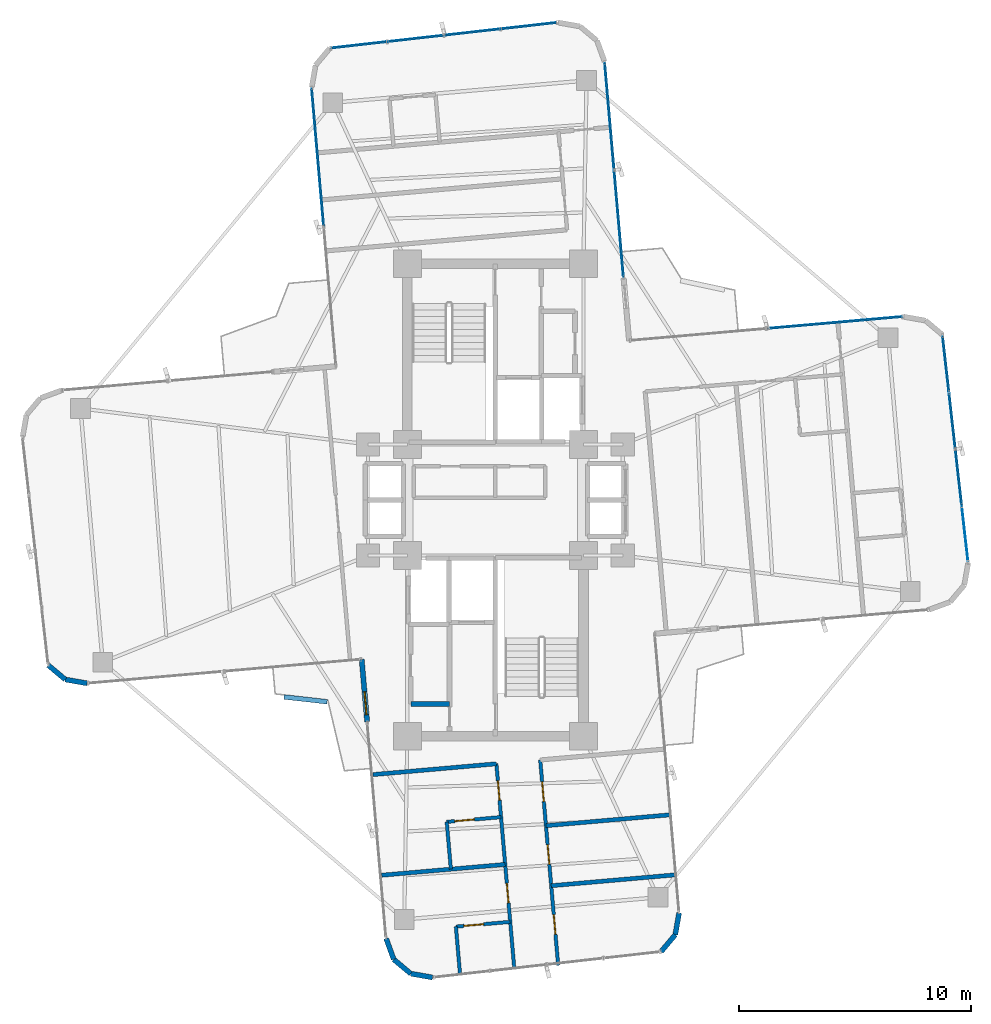
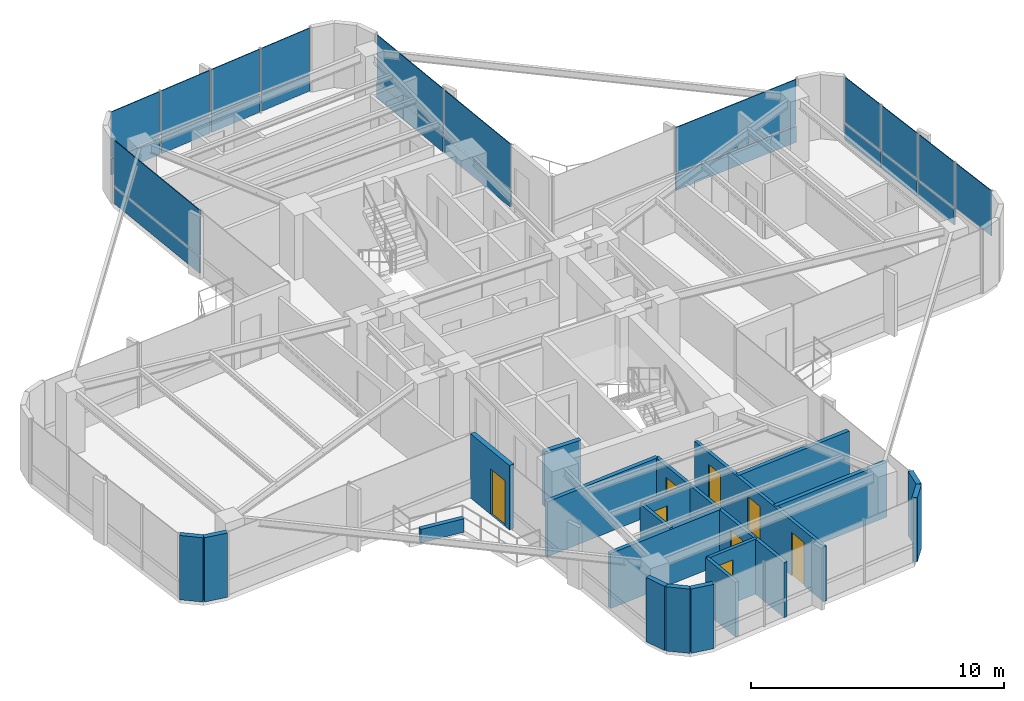
# One storey, part 20 of 24: 23 plates, 20 walls, 8 doors, 8 openings, 5 elements without a shape of their own.
"""IFC4 building model written with IfcOpenShell, lengths in metres."""

from ifc_helpers import new_model, si_unit, direction, frame, frame_2d, origin, origin_2d, place, context, subcontext, project, spatial, rectangle, extrude, source, transform, mapped, material, layer, layer_set, type_object, element, fill, aggregate, save


model = new_model("IFC4")

# Units and contexts
model_context = context("Model", 3, precision=1e-05, world=origin(), true_north=direction((0.0, 1.0)))
body_context = subcontext(model_context, "Body", "Model", "MODEL_VIEW")
ifc_project = project(units=[si_unit("LENGTHUNIT", "METRE"), si_unit("AREAUNIT", "SQUARE_METRE"), si_unit("VOLUMEUNIT", "CUBIC_METRE"), si_unit("PLANEANGLEUNIT", "RADIAN"), si_unit("MASSUNIT", "GRAM", prefix="KILO")], contexts=[model_context])

# Site, building, storey
site_placement = place(None, origin())
site = spatial("IfcSite", under=ifc_project, at=site_placement, CompositionType="ELEMENT")
building_placement = place(site_placement, origin())
building = spatial("IfcBuilding", under=site, at=building_placement, Name="Sahyath Konkavel Grand Hotel", CompositionType="ELEMENT")
storey_placement = place(building_placement, frame((0.0, 0.0, 175.199951171875)))
storey = spatial("IfcBuildingStorey", under=building, at=storey_placement, Name="L48", CompositionType="ELEMENT", Elevation=175.199951171875)

# Curtain wall, plates
ifc_material_1 = material(Name="Anodised Bronze Aluminium & Low-E Glazing", Category="aluminium")
curtain_wall_type = type_object("IfcCurtainWallType", Name="CW-ZONE3", PredefinedType="NOTDEFINED", material=ifc_material_1)
curtain_wall_1_placement = place(storey_placement, origin())
curtain_wall_1 = element("IfcCurtainWall", 1, at=curtain_wall_1_placement, inside=storey, type_object=curtain_wall_type, Name="L48 Unitised Curtain Wall F4", PredefinedType="NOTDEFINED")
ifc_material_2 = material(Name="Warm Buff Sandstone Cladding", Category="masonry")
ifc_layer_1 = layer(ifc_material_2, 0.074951171875)
ifc_layer_set_1 = layer_set([ifc_layer_1], Name="Warm Buff Sandstone Cladding")
plate_type_1 = type_object("IfcPlateType", Name="PNL-SPANDREL-STONE", PredefinedType="SHEET", material=ifc_layer_set_1)
shared_shape_1 = source(origin(), body_context, "Body", "SweptSolid", [
    extrude(rectangle(XDim=2.382080078125, YDim=0.074951171875, at=origin_2d()), origin(), (0.0, 0.0, 1.0), 0.77001953125),
])
plate_1_placement = place(storey_placement, frame((19.99755859375, 0.978515625, 0.0400390625), z_axis=(0.0, 0.0, 1.0), x_axis=(-0.111989252568, 0.993709417943, 0.0)))
plate_1 = element("IfcPlate", 2, at=plate_1_placement, type_object=plate_type_1, Name="L48 Sandstone Relief Spandrel Panel F4-1", PredefinedType="SHEET", context=body_context, shape_type="MappedRepresentation", body=[
    mapped(shared_shape_1, transform((0.0, 0.0, 0.0), scale=1.0)),
])
plate_2_placement = place(storey_placement, frame((19.7216796875, 3.425048828125, 0.0400390625), z_axis=(0.0, 0.0, 1.0), x_axis=(-0.111989252568, 0.993709417943, 0.0)))
plate_2 = element("IfcPlate", 3, at=plate_2_placement, type_object=plate_type_1, Name="L48 Sandstone Relief Spandrel Panel F4-2", PredefinedType="SHEET", context=body_context, shape_type="MappedRepresentation", body=[
    mapped(shared_shape_1, transform((0.0, 0.0, 0.0), scale=1.0)),
])
plate_3_placement = place(storey_placement, frame((19.446044921875, 5.87158203125, 0.0400390625), z_axis=(0.0, 0.0, 1.0), x_axis=(-0.111989252568, 0.993709417943, 0.0)))
plate_3 = element("IfcPlate", 4, at=plate_3_placement, type_object=plate_type_1, Name="L48 Sandstone Relief Spandrel Panel F4-3", PredefinedType="SHEET", context=body_context, shape_type="MappedRepresentation", body=[
    mapped(shared_shape_1, transform((0.0, 0.0, 0.0), scale=1.0)),
])

curtain_wall_2_placement = place(storey_placement, origin())
curtain_wall_2 = element("IfcCurtainWall", 5, at=curtain_wall_2_placement, inside=storey, type_object=curtain_wall_type, Name="L48 Unitised Curtain Wall F12", PredefinedType="NOTDEFINED")
plate_4_placement = place(storey_placement, frame((1.45068359375, 20.47265625, 0.0400390625), z_axis=(0.0, 0.0, 1.0), x_axis=(-0.993707463211, -0.112006596052, 0.0)))
plate_4 = element("IfcPlate", 6, at=plate_4_placement, type_object=plate_type_1, Name="L48 Sandstone Relief Spandrel Panel F12-0", PredefinedType="SHEET", context=body_context, shape_type="MappedRepresentation", body=[
    mapped(shared_shape_1, transform((0.0, 0.0, 0.0), scale=1.0)),
])
plate_5_placement = place(storey_placement, frame((-0.995849609375, 20.197021484375, 0.0400390625), z_axis=(0.0, 0.0, 1.0), x_axis=(-0.993707463211, -0.112006596052, 0.0)))
plate_5 = element("IfcPlate", 7, at=plate_5_placement, type_object=plate_type_1, Name="L48 Sandstone Relief Spandrel Panel F12-1", PredefinedType="SHEET", context=body_context, shape_type="MappedRepresentation", body=[
    mapped(shared_shape_1, transform((0.0, 0.0, 0.0), scale=1.0)),
])
plate_6_placement = place(storey_placement, frame((-3.4423828125, 19.921142578125, 0.0400390625), z_axis=(0.0, 0.0, 1.0), x_axis=(-0.993707463211, -0.112006596052, 0.0)))
plate_6 = element("IfcPlate", 8, at=plate_6_placement, type_object=plate_type_1, Name="L48 Sandstone Relief Spandrel Panel F12-2", PredefinedType="SHEET", context=body_context, shape_type="MappedRepresentation", body=[
    mapped(shared_shape_1, transform((0.0, 0.0, 0.0), scale=1.0)),
])
plate_7_placement = place(storey_placement, frame((-5.888916015625, 19.6455078125, 0.0400390625), z_axis=(0.0, 0.0, 1.0), x_axis=(-0.993707463211, -0.112006596052, 0.0)))
plate_7 = element("IfcPlate", 9, at=plate_7_placement, type_object=plate_type_1, Name="L48 Sandstone Relief Spandrel Panel F12-3", PredefinedType="SHEET", context=body_context, shape_type="MappedRepresentation", body=[
    mapped(shared_shape_1, transform((0.0, 0.0, 0.0), scale=1.0)),
])

# Curtain wall, plate
curtain_wall_3_placement = place(storey_placement, origin())
curtain_wall_3 = element("IfcCurtainWall", 10, at=curtain_wall_3_placement, inside=storey, type_object=curtain_wall_type, Name="L48 Unitised Curtain Wall F7", PredefinedType="NOTDEFINED")
shared_shape_2 = source(origin(), body_context, "Body", "SweptSolid", [
    extrude(rectangle(XDim=5.830078125, YDim=0.074951171875, at=origin_2d()), origin(), (0.0, 0.0, 1.0), 0.77001953125),
])
plate_8_placement = place(storey_placement, frame((14.6435546875, 7.655517578125, 0.0400390625), z_axis=(0.0, 0.0, 1.0), x_axis=(-0.996194698092, -0.087155742748, 0.0)))
plate_8 = element("IfcPlate", 11, at=plate_8_placement, type_object=plate_type_1, Name="L48 Sandstone Relief Spandrel Panel F7-0", PredefinedType="SHEET", context=body_context, shape_type="MappedRepresentation", body=[
    mapped(shared_shape_2, transform((0.0, 0.0, 0.0), scale=1.0)),
])

# Curtain wall, plates
curtain_wall_4_placement = place(storey_placement, origin())
curtain_wall_4 = element("IfcCurtainWall", 12, at=curtain_wall_4_placement, inside=storey, type_object=curtain_wall_type, Name="L48 Unitised Curtain Wall F8", PredefinedType="NOTDEFINED")
shared_shape_3 = source(origin(), body_context, "Body", "SweptSolid", [
    extrude(rectangle(XDim=4.580078125, YDim=0.074951171875, at=origin_2d()), origin(), (0.0, 0.0, 1.0), 0.77001953125),
])
plate_9_placement = place(storey_placement, frame((5.33056640625, 11.929931640625, 0.0400390625), z_axis=(0.0, 0.0, 1.0), x_axis=(-0.087155742748, 0.996194698092, 0.0)))
plate_9 = element("IfcPlate", 13, at=plate_9_placement, type_object=plate_type_1, Name="L48 Sandstone Relief Spandrel Panel F8-0", PredefinedType="SHEET", context=body_context, shape_type="MappedRepresentation", body=[
    mapped(shared_shape_3, transform((0.0, 0.0, 0.0), scale=1.0)),
])
plate_10_placement = place(storey_placement, frame((4.92431640625, 16.572265625, 0.0400390625), z_axis=(0.0, 0.0, 1.0), x_axis=(-0.087155742748, 0.996194698092, 0.0)))
plate_10 = element("IfcPlate", 14, at=plate_10_placement, type_object=plate_type_1, Name="L48 Sandstone Relief Spandrel Panel F8-1", PredefinedType="SHEET", context=body_context, shape_type="MappedRepresentation", body=[
    mapped(shared_shape_3, transform((0.0, 0.0, 0.0), scale=1.0)),
])

# Curtain wall, plate
curtain_wall_5_placement = place(storey_placement, origin())
curtain_wall_5 = element("IfcCurtainWall", 15, at=curtain_wall_5_placement, inside=storey, type_object=curtain_wall_type, Name="L48 Unitised Curtain Wall F15", PredefinedType="NOTDEFINED")
shared_shape_4 = source(origin(), body_context, "Body", "SweptSolid", [
    extrude(rectangle(XDim=5.929931640625, YDim=0.074951171875, at=origin_2d()), origin(), (0.0, 0.0, 1.0), 0.77001953125),
])
plate_11_placement = place(storey_placement, frame((-7.66845703125, 14.79296875, 0.0400390625), z_axis=(0.0, 0.0, 1.0), x_axis=(0.087155742748, -0.996194698092, 0.0)))
plate_11 = element("IfcPlate", 16, at=plate_11_placement, type_object=plate_type_1, Name="L48 Sandstone Relief Spandrel Panel F15-0", PredefinedType="SHEET", context=body_context, shape_type="MappedRepresentation", body=[
    mapped(shared_shape_4, transform((0.0, 0.0, 0.0), scale=1.0)),
])

# Plate
ifc_material_3 = material(Name="Low-E Solar Control Double Glazing", Category="glass")
ifc_layer_2 = layer(ifc_material_3, 0.035888671875)
ifc_layer_set_2 = layer_set([ifc_layer_2], Name="Low-E Solar Control Double Glazing")
plate_type_2 = type_object("IfcPlateType", Name="PNL-VISION-LOWE", PredefinedType="CURTAIN_PANEL", material=ifc_layer_set_2)
shared_shape_5 = source(origin(), body_context, "Body", "SweptSolid", [
    extrude(rectangle(XDim=2.382080078125, YDim=0.035888671875, at=origin_2d()), origin(), (0.0, 0.0, 1.0), 2.179931640625),
])
plate_12_placement = place(storey_placement, frame((20.2734375, -1.468017578125, 0.89013671875), z_axis=(0.0, 0.0, 1.0), x_axis=(-0.111989252568, 0.993709417943, 0.0)))
plate_12 = element("IfcPlate", 17, at=plate_12_placement, type_object=plate_type_2, Name="L48 Low-E Vision Glazing Panel F4-0", PredefinedType="CURTAIN_PANEL", context=body_context, shape_type="MappedRepresentation", body=[
    mapped(shared_shape_5, transform((0.0, 0.0, 0.0), scale=1.0)),
])

plate_13_placement = place(storey_placement, frame((19.99755859375, 0.978515625, 0.89013671875), z_axis=(0.0, 0.0, 1.0), x_axis=(-0.111989252568, 0.993709417943, 0.0)))
plate_13 = element("IfcPlate", 18, at=plate_13_placement, type_object=plate_type_2, Name="L48 Low-E Vision Glazing Panel F4-1", PredefinedType="CURTAIN_PANEL", context=body_context, shape_type="MappedRepresentation", body=[
    mapped(shared_shape_5, transform((0.0, 0.0, 0.0), scale=1.0)),
])

plate_14_placement = place(storey_placement, frame((19.7216796875, 3.425048828125, 0.89013671875), z_axis=(0.0, 0.0, 1.0), x_axis=(-0.111989252568, 0.993709417943, 0.0)))
plate_14 = element("IfcPlate", 19, at=plate_14_placement, type_object=plate_type_2, Name="L48 Low-E Vision Glazing Panel F4-2", PredefinedType="CURTAIN_PANEL", context=body_context, shape_type="MappedRepresentation", body=[
    mapped(shared_shape_5, transform((0.0, 0.0, 0.0), scale=1.0)),
])

plate_15_placement = place(storey_placement, frame((19.446044921875, 5.87158203125, 0.89013671875), z_axis=(0.0, 0.0, 1.0), x_axis=(-0.111989252568, 0.993709417943, 0.0)))
plate_15 = element("IfcPlate", 20, at=plate_15_placement, type_object=plate_type_2, Name="L48 Low-E Vision Glazing Panel F4-3", PredefinedType="CURTAIN_PANEL", context=body_context, shape_type="MappedRepresentation", body=[
    mapped(shared_shape_5, transform((0.0, 0.0, 0.0), scale=1.0)),
])

aggregate(curtain_wall_1, [plate_12, plate_1, plate_13, plate_2, plate_14, plate_3, plate_15])

plate_16_placement = place(storey_placement, frame((1.45068359375, 20.47265625, 0.89013671875), z_axis=(0.0, 0.0, 1.0), x_axis=(-0.993707463211, -0.112006596052, 0.0)))
plate_16 = element("IfcPlate", 21, at=plate_16_placement, type_object=plate_type_2, Name="L48 Low-E Vision Glazing Panel F12-0", PredefinedType="CURTAIN_PANEL", context=body_context, shape_type="MappedRepresentation", body=[
    mapped(shared_shape_5, transform((0.0, 0.0, 0.0), scale=1.0)),
])

plate_17_placement = place(storey_placement, frame((-0.995849609375, 20.197021484375, 0.89013671875), z_axis=(0.0, 0.0, 1.0), x_axis=(-0.993707463211, -0.112006596052, 0.0)))
plate_17 = element("IfcPlate", 22, at=plate_17_placement, type_object=plate_type_2, Name="L48 Low-E Vision Glazing Panel F12-1", PredefinedType="CURTAIN_PANEL", context=body_context, shape_type="MappedRepresentation", body=[
    mapped(shared_shape_5, transform((0.0, 0.0, 0.0), scale=1.0)),
])

plate_18_placement = place(storey_placement, frame((-3.4423828125, 19.921142578125, 0.89013671875), z_axis=(0.0, 0.0, 1.0), x_axis=(-0.993707463211, -0.112006596052, 0.0)))
plate_18 = element("IfcPlate", 23, at=plate_18_placement, type_object=plate_type_2, Name="L48 Low-E Vision Glazing Panel F12-2", PredefinedType="CURTAIN_PANEL", context=body_context, shape_type="MappedRepresentation", body=[
    mapped(shared_shape_5, transform((0.0, 0.0, 0.0), scale=1.0)),
])

plate_19_placement = place(storey_placement, frame((-5.888916015625, 19.6455078125, 0.89013671875), z_axis=(0.0, 0.0, 1.0), x_axis=(-0.993707463211, -0.112006596052, 0.0)))
plate_19 = element("IfcPlate", 24, at=plate_19_placement, type_object=plate_type_2, Name="L48 Low-E Vision Glazing Panel F12-3", PredefinedType="CURTAIN_PANEL", context=body_context, shape_type="MappedRepresentation", body=[
    mapped(shared_shape_5, transform((0.0, 0.0, 0.0), scale=1.0)),
])

aggregate(curtain_wall_2, [plate_4, plate_16, plate_5, plate_17, plate_6, plate_18, plate_7, plate_19])

shared_shape_6 = source(origin(), body_context, "Body", "SweptSolid", [
    extrude(rectangle(XDim=5.830078125, YDim=0.035888671875, at=origin_2d()), origin(), (0.0, 0.0, 1.0), 2.179931640625),
])
plate_20_placement = place(storey_placement, frame((14.6435546875, 7.655517578125, 0.89013671875), z_axis=(0.0, 0.0, 1.0), x_axis=(-0.996194698092, -0.087155742748, 0.0)))
plate_20 = element("IfcPlate", 25, at=plate_20_placement, type_object=plate_type_2, Name="L48 Low-E Vision Glazing Panel F7-0", PredefinedType="CURTAIN_PANEL", context=body_context, shape_type="MappedRepresentation", body=[
    mapped(shared_shape_6, transform((0.0, 0.0, 0.0), scale=1.0)),
])

aggregate(curtain_wall_3, [plate_8, plate_20])

shared_shape_7 = source(origin(), body_context, "Body", "SweptSolid", [
    extrude(rectangle(XDim=4.580078125, YDim=0.035888671875, at=origin_2d()), origin(), (0.0, 0.0, 1.0), 2.179931640625),
])
plate_21_placement = place(storey_placement, frame((5.33056640625, 11.929931640625, 0.89013671875), z_axis=(0.0, 0.0, 1.0), x_axis=(-0.087155742748, 0.996194698092, 0.0)))
plate_21 = element("IfcPlate", 26, at=plate_21_placement, type_object=plate_type_2, Name="L48 Low-E Vision Glazing Panel F8-0", PredefinedType="CURTAIN_PANEL", context=body_context, shape_type="MappedRepresentation", body=[
    mapped(shared_shape_7, transform((0.0, 0.0, 0.0), scale=1.0)),
])

plate_22_placement = place(storey_placement, frame((4.92431640625, 16.572265625, 0.89013671875), z_axis=(0.0, 0.0, 1.0), x_axis=(-0.087155742748, 0.996194698092, 0.0)))
plate_22 = element("IfcPlate", 27, at=plate_22_placement, type_object=plate_type_2, Name="L48 Low-E Vision Glazing Panel F8-1", PredefinedType="CURTAIN_PANEL", context=body_context, shape_type="MappedRepresentation", body=[
    mapped(shared_shape_7, transform((0.0, 0.0, 0.0), scale=1.0)),
])

aggregate(curtain_wall_4, [plate_9, plate_21, plate_10, plate_22])

shared_shape_8 = source(origin(), body_context, "Body", "SweptSolid", [
    extrude(rectangle(XDim=5.929931640625, YDim=0.035888671875, at=origin_2d()), origin(), (0.0, 0.0, 1.0), 2.179931640625),
])
plate_23_placement = place(storey_placement, frame((-7.66845703125, 14.79296875, 0.89013671875), z_axis=(0.0, 0.0, 1.0), x_axis=(0.087155742748, -0.996194698092, 0.0)))
plate_23 = element("IfcPlate", 28, at=plate_23_placement, type_object=plate_type_2, Name="L48 Low-E Vision Glazing Panel F15-0", PredefinedType="CURTAIN_PANEL", context=body_context, shape_type="MappedRepresentation", body=[
    mapped(shared_shape_8, transform((0.0, 0.0, 0.0), scale=1.0)),
])

aggregate(curtain_wall_5, [plate_11, plate_23])

# Walls
ifc_material_4 = material(Name="Warm Buff Sandstone Insulated Concrete C40/50", Category="masonry")
ifc_layer_3 = layer(ifc_material_4, 0.219970703125)
ifc_layer_set_3 = layer_set([ifc_layer_3], Name="Warm Buff Sandstone Insulated Concrete C40/50")
wall_type_1 = type_object("IfcWallType", Name="WLL-BALC-THRESH", PredefinedType="STANDARD", material=ifc_layer_set_3)
wall_1_placement = place(storey_placement, frame((-19.3037109375, -7.134521484375, 0.0), z_axis=(0.0, 0.0, 1.0), x_axis=(0.766001159887, -0.642839189107, 0.0)))
element("IfcWall", 29, at=wall_1_placement, inside=storey, type_object=wall_type_1, Name="L48 Rounded Corner Sandstone Pier 21", PredefinedType="STANDARD", context=body_context, shape_type="SweptSolid", body=[
    extrude(rectangle(XDim=0.95751953125, YDim=0.219970703125, at=frame_2d((0.478759765625, 0.0))), origin(), (0.0, 0.0, 1.0), 3.110107421875),
])
wall_2_placement = place(storey_placement, frame((-18.5703125, -7.75, 0.0), z_axis=(0.0, 0.0, 1.0), x_axis=(0.984770724397, -0.173858046606, 0.0)))
element("IfcWall", 30, at=wall_2_placement, inside=storey, type_object=wall_type_1, Name="L48 Rounded Corner Sandstone Pier 22", PredefinedType="STANDARD", context=body_context, shape_type="SweptSolid", body=[
    extrude(rectangle(XDim=0.957763671875, YDim=0.219970703125, at=frame_2d((0.47900390625, 0.0))), origin(), (0.0, 0.0, 1.0), 3.110107421875),
])

# Wall, opening, door
wall_3_placement = place(storey_placement, frame((-5.7724609375, -6.87939453125, 0.0), z_axis=(0.0, 0.0, 1.0), x_axis=(0.087168071984, -0.996193619346, 0.0)))
wall_3 = element("IfcWall", 31, at=wall_3_placement, inside=storey, type_object=wall_type_1, Name="L48 Winter-Garden Threshold Wall 24", PredefinedType="STANDARD", context=body_context, shape_type="SweptSolid", body=[
    extrude(rectangle(XDim=2.699951171875, YDim=0.219970703125, at=frame_2d((1.35009765625, 0.0))), origin(), (0.0, 0.0, 1.0), 3.110107421875),
])
opening_1_placement = place(wall_3_placement, frame((1.39990234375, 0.0, 0.0)))
opening_1 = element("IfcOpeningElement", 32, at=opening_1_placement, cuts=wall_3, Name="Opening D-TR1", PredefinedType="OPENING", context=body_context, shape_type="SweptSolid", body=[
    extrude(rectangle(XDim=1.0, YDim=2.199951171875, at=frame_2d((0.5, 1.10009765625))), frame((0.0, 0.1201171875, 0.0), z_axis=(0.0, -1.0, 0.0), x_axis=(1.0, 0.0, 0.0)), (0.0, 0.0, 1.0), 0.239990234375),
])
door_type_1 = type_object("IfcDoorType", Name="DR-TERRACE-1000", OperationType="NOTDEFINED", PredefinedType="DOOR", material=ifc_material_1)
shared_shape_9 = source(origin(), body_context, "Body", "SweptSolid", [
    extrude(rectangle(XDim=1.0, YDim=0.050048828125, at=origin_2d()), origin(), (0.0, 0.0, 1.0), 2.199951171875),
])
door_1_placement = place(opening_1_placement, frame((0.5, 0.0, 0.0)))
door_1 = element("IfcDoor", 33, at=door_1_placement, inside=storey, type_object=door_type_1, Name="L48 Winter-Garden Terrace Door 24", OperationType="SINGLE_SWING_LEFT", OverallHeight=2.199951171875, OverallWidth=1.0, PredefinedType="DOOR", context=body_context, shape_type="MappedRepresentation", body=[
    mapped(shared_shape_9, transform((0.0, 0.0, 0.0), scale=1.0)),
])
fill(opening_1, door_1)

# Walls
wall_4_placement = place(storey_placement, frame((-4.7177734375, -18.93310546875, 0.0), z_axis=(0.0, 0.0, 1.0), x_axis=(0.34188635151, -0.939741306239, 0.0)))
element("IfcWall", 34, at=wall_4_placement, inside=storey, type_object=wall_type_1, Name="L48 Rounded Corner Sandstone Pier 25", PredefinedType="STANDARD", context=body_context, shape_type="SweptSolid", body=[
    extrude(rectangle(XDim=0.95751953125, YDim=0.219970703125, at=frame_2d((0.478759765625, 0.0))), origin(), (0.0, 0.0, 1.0), 3.110107421875),
])
for number, where, z_axis, x_axis, name in (
    (35, (-4.390380859375, -19.8330078125, 0.0), (0.0, 0.0, 1.0), (0.765980978054, -0.642863236823, 0.0), "L48 Rounded Corner Sandstone Pier 26"),
    (36, (-3.65673828125, -20.44873046875, 0.0), (0.0, 0.0, 1.0), (0.984814340885, -0.173610811841, 0.0), "L48 Rounded Corner Sandstone Pier 27"),
):
    element("IfcWall", number, at=place(storey_placement, frame(where, z_axis=z_axis, x_axis=x_axis)), inside=storey, type_object=wall_type_1, Name=name, PredefinedType="STANDARD", context=body_context, shape_type="SweptSolid", body=[
        extrude(rectangle(XDim=0.957763671875, YDim=0.219970703125, at=frame_2d((0.47900390625, 0.0))), origin(), (0.0, 0.0, 1.0), 3.110107421875),
    ])
for number, where, z_axis, x_axis, name in (
    (37, (7.152099609375, -19.5029296875, 0.0), (0.0, 0.0, 1.0), (0.642713642115, 0.766106503196, 0.0), "L48 Rounded Corner Sandstone Pier 29"),
    (38, (7.767578125, -18.769287109375, 0.0), (0.0, 0.0, 1.0), (0.173654409999, 0.984806654064, 0.0), "L48 Rounded Corner Sandstone Pier 30"),
):
    element("IfcWall", number, at=place(storey_placement, frame(where, z_axis=z_axis, x_axis=x_axis)), inside=storey, type_object=wall_type_1, Name=name, PredefinedType="STANDARD", context=body_context, shape_type="SweptSolid", body=[
        extrude(rectangle(XDim=0.95751953125, YDim=0.219970703125, at=frame_2d((0.478759765625, 0.0))), origin(), (0.0, 0.0, 1.0), 3.110107421875),
    ])
ifc_material_5 = material(Name="Concrete C40/50", Category="concrete")
ifc_layer_4 = layer(ifc_material_5, 0.199951171875)
ifc_layer_set_4 = layer_set([ifc_layer_4], Name="Concrete C40/50")
wall_type_2 = type_object("IfcWallType", Name="WLL-CORE-200", PredefinedType="SOLIDWALL", material=ifc_layer_set_4)
wall_5_placement = place(storey_placement, frame((-3.64990234375, -8.81005859375, 0.0), z_axis=(0.0, 0.0, 1.0), x_axis=(1.0, 0.0, 0.0)))
element("IfcWall", 39, at=wall_5_placement, inside=storey, type_object=wall_type_2, Name="L48 Partition SC-REC-S", PredefinedType="SOLIDWALL", context=body_context, shape_type="SweptSolid", body=[
    extrude(rectangle(XDim=1.669921875, YDim=0.199951171875, at=frame_2d((0.8349609375, 0.0))), origin(), (0.0, 0.0, 1.0), 2.66015625),
])
ifc_material_6 = material(Name="Twin-Stud Acoustic Gypsum Plasterboard Partition")
ifc_layer_5 = layer(ifc_material_6, 0.179931640625)
ifc_layer_set_5 = layer_set([ifc_layer_5], Name="Twin-Stud Acoustic Gypsum Plasterboard Partition")
wall_type_3 = type_object("IfcWallType", Name="WLL-DEMISE-180", PredefinedType="PARTITIONING", material=ifc_layer_set_5)
for number, where, z_axis, x_axis, name in (
    (40, (-5.286865234375, -11.85595703125, 0.0), (0.0, 0.0, 1.0), (0.996194212812, 0.087161289348, 0.0), "L48 Partition S-INR"),
    (41, (2.183837890625, -14.061279296875, 0.0), (0.0, 0.0, 1.0), (0.996194212812, 0.087161289348, 0.0), "L48 Partition S-S1L-DEM"),
    (42, (2.41064453125, -16.6533203125, 0.0), (0.0, 0.0, 1.0), (0.996194212812, 0.087161289348, 0.0), "L48 Partition S-S2L-DEM"),
    (43, (0.4228515625, -15.73388671875, 0.0), (0.0, 0.0, 1.0), (-0.996194212812, -0.087161289348, 0.0), "L48 Partition S-S1R-DEM"),
):
    element("IfcWall", number, at=place(storey_placement, frame(where, z_axis=z_axis, x_axis=x_axis)), inside=storey, type_object=wall_type_3, Name=name, PredefinedType="PARTITIONING", context=body_context, shape_type="SweptSolid", body=[
        extrude(rectangle(XDim=5.349853515625, YDim=0.179931640625, at=frame_2d((2.6748046875, 0.0))), origin(), (0.0, 0.0, 1.0), 2.66015625),
    ])

# Wall, openings, doors
ifc_material_7 = material(Name="Fire-Rated Gypsum Plasterboard Partition")
ifc_layer_6 = layer(ifc_material_7, 0.14990234375)
ifc_layer_set_6 = layer_set([ifc_layer_6], Name="Fire-Rated Gypsum Plasterboard Partition")
wall_type_4 = type_object("IfcWallType", Name="WLL-PART-150", PredefinedType="PARTITIONING", material=ifc_layer_set_6)
wall_6_placement = place(storey_placement, frame((1.935546875, -11.22412109375, 0.0), z_axis=(0.0, 0.0, 1.0), x_axis=(0.087151636982, -0.996195057291, 0.0)))
wall_6 = element("IfcWall", 44, at=wall_6_placement, inside=storey, type_object=wall_type_4, Name="L48 Partition S-CL", PredefinedType="PARTITIONING", context=body_context, shape_type="SweptSolid", body=[
    extrude(rectangle(XDim=8.89990234375, YDim=0.14990234375, at=frame_2d((4.449951171875, 0.0))), origin(), (0.0, 0.0, 1.0), 2.66015625),
])
opening_2_placement = place(wall_6_placement, frame((0.948974609375, 0.0, 0.0)))
opening_2 = element("IfcOpeningElement", 45, at=opening_2_placement, cuts=wall_6, Name="Opening D-F06D", PredefinedType="OPENING", context=body_context, shape_type="SweptSolid", body=[
    extrude(rectangle(XDim=0.85009765625, YDim=2.10009765625, at=frame_2d((0.425048828125, 1.050048828125))), frame((0.0, 0.0849609375, 0.0), z_axis=(0.0, -1.0, 0.0), x_axis=(1.0, 0.0, 0.0)), (0.0, 0.0, 1.0), 0.169921875),
])
opening_3_placement = place(wall_6_placement, frame((3.674072265625, 0.0, 0.0)))
opening_3 = element("IfcOpeningElement", 46, at=opening_3_placement, cuts=wall_6, Name="Opening D-F06D", PredefinedType="OPENING", context=body_context, shape_type="SweptSolid", body=[
    extrude(rectangle(XDim=0.85009765625, YDim=2.10009765625, at=frame_2d((0.425048828125, 1.050048828125))), frame((0.0, 0.0849609375, 0.0), z_axis=(0.0, -1.0, 0.0), x_axis=(1.0, 0.0, 0.0)), (0.0, 0.0, 1.0), 0.169921875),
])
opening_4_placement = place(wall_6_placement, frame((6.699951171875, 0.0, 0.0)))
opening_4 = element("IfcOpeningElement", 47, at=opening_4_placement, cuts=wall_6, Name="Opening D-F06D", PredefinedType="OPENING", context=body_context, shape_type="SweptSolid", body=[
    extrude(rectangle(XDim=0.85009765625, YDim=2.10009765625, at=frame_2d((0.425048828125, 1.050048828125))), frame((0.0, 0.0849609375, 0.0), z_axis=(0.0, -1.0, 0.0), x_axis=(1.0, 0.0, 0.0)), (0.0, 0.0, 1.0), 0.169921875),
])
ifc_material_8 = material(Name="Fire-Rated Shaft Access Door")
door_type_2 = type_object("IfcDoorType", Name="DR-FD60-850", OperationType="NOTDEFINED", PredefinedType="DOOR", material=ifc_material_8)
shared_shape_10 = source(origin(), body_context, "Body", "SweptSolid", [
    extrude(rectangle(XDim=0.85009765625, YDim=0.050048828125, at=origin_2d()), origin(), (0.0, 0.0, 1.0), 2.10009765625),
])
door_2_placement = place(opening_2_placement, frame((0.425048828125, 0.0, 0.0)))
door_2 = element("IfcDoor", 48, at=door_2_placement, inside=storey, type_object=door_type_2, Name="L48 Door S-S1L-D", OperationType="SINGLE_SWING_LEFT", OverallHeight=2.10009765625, OverallWidth=0.85009765625, PredefinedType="DOOR", context=body_context, shape_type="MappedRepresentation", body=[
    mapped(shared_shape_10, transform((0.0, 0.0, 0.0), scale=1.0)),
])
fill(opening_2, door_2)
door_3_placement = place(opening_3_placement, frame((0.425048828125, 0.0, 0.0)))
door_3 = element("IfcDoor", 49, at=door_3_placement, inside=storey, type_object=door_type_2, Name="L48 Door S-S2L-D", OperationType="SINGLE_SWING_RIGHT", OverallHeight=2.10009765625, OverallWidth=0.85009765625, PredefinedType="DOOR", context=body_context, shape_type="MappedRepresentation", body=[
    mapped(shared_shape_10, transform((0.0, 0.0, 0.0), scale=1.0)),
])
fill(opening_3, door_3)
door_4_placement = place(opening_4_placement, frame((0.425048828125, 0.0, 0.0)))
door_4 = element("IfcDoor", 50, at=door_4_placement, inside=storey, type_object=door_type_2, Name="L48 Door S-S3L-D", OperationType="SINGLE_SWING_LEFT", OverallHeight=2.10009765625, OverallWidth=0.85009765625, PredefinedType="DOOR", context=body_context, shape_type="MappedRepresentation", body=[
    mapped(shared_shape_10, transform((0.0, 0.0, 0.0), scale=1.0)),
])
fill(opening_4, door_4)

wall_7_placement = place(storey_placement, frame((0.042724609375, -11.3896484375, 0.0), z_axis=(0.0, 0.0, 1.0), x_axis=(0.087178860582, -0.996192675273, 0.0)))
wall_7 = element("IfcWall", 51, at=wall_7_placement, inside=storey, type_object=wall_type_4, Name="L48 Partition S-CR", PredefinedType="PARTITIONING", context=body_context, shape_type="SweptSolid", body=[
    extrude(rectangle(XDim=8.89990234375, YDim=0.14990234375, at=frame_2d((4.449951171875, 0.0))), origin(), (0.0, 0.0, 1.0), 2.66015625),
])
opening_5_placement = place(wall_7_placement, frame((0.72998046875, 0.0, 0.0)))
opening_5 = element("IfcOpeningElement", 52, at=opening_5_placement, cuts=wall_7, Name="Opening D-F06D", PredefinedType="OPENING", context=body_context, shape_type="SweptSolid", body=[
    extrude(rectangle(XDim=0.85009765625, YDim=2.10009765625, at=frame_2d((0.425048828125, 1.050048828125))), frame((0.0, 0.0849609375, 0.0), z_axis=(0.0, -1.0, 0.0), x_axis=(1.0, 0.0, 0.0)), (0.0, 0.0, 1.0), 0.169921875),
])
opening_6_placement = place(wall_7_placement, frame((5.180908203125, 0.0, 0.0)))
opening_6 = element("IfcOpeningElement", 53, at=opening_6_placement, cuts=wall_7, Name="Opening D-F06D", PredefinedType="OPENING", context=body_context, shape_type="SweptSolid", body=[
    extrude(rectangle(XDim=0.85009765625, YDim=2.10009765625, at=frame_2d((0.425048828125, 1.050048828125))), frame((0.0, 0.0849609375, 0.0), z_axis=(0.0, -1.0, 0.0), x_axis=(1.0, 0.0, 0.0)), (0.0, 0.0, 1.0), 0.169921875),
])
door_5_placement = place(opening_5_placement, frame((0.425048828125, 0.0, 0.0)))
door_5 = element("IfcDoor", 54, at=door_5_placement, inside=storey, type_object=door_type_2, Name="L48 Door S-S1R-ED", OperationType="SINGLE_SWING_LEFT", OverallHeight=2.10009765625, OverallWidth=0.85009765625, PredefinedType="DOOR", context=body_context, shape_type="MappedRepresentation", body=[
    mapped(shared_shape_10, transform((0.0, 0.0, 0.0), scale=1.0)),
])
fill(opening_5, door_5)
door_6_placement = place(opening_6_placement, frame((0.425048828125, 0.0, 0.0)))
door_6 = element("IfcDoor", 55, at=door_6_placement, inside=storey, type_object=door_type_2, Name="L48 Door S-S2R-ED", OperationType="SINGLE_SWING_LEFT", OverallHeight=2.10009765625, OverallWidth=0.85009765625, PredefinedType="DOOR", context=body_context, shape_type="MappedRepresentation", body=[
    mapped(shared_shape_10, transform((0.0, 0.0, 0.0), scale=1.0)),
])
fill(opening_6, door_6)

# Wall, opening, door
wall_8_placement = place(storey_placement, frame((0.244140625, -13.69189453125, 0.0), z_axis=(0.0, 0.0, 1.0), x_axis=(-0.996197656711, -0.087121918963, 0.0)))
wall_8 = element("IfcWall", 56, at=wall_8_placement, inside=storey, type_object=wall_type_4, Name="L48 Partition S-S1R-BS", PredefinedType="PARTITIONING", context=body_context, shape_type="SweptSolid", body=[
    extrude(rectangle(XDim=2.35400390625, YDim=0.14990234375, at=frame_2d((1.177001953125, 0.0))), origin(), (0.0, 0.0, 1.0), 2.66015625),
])
opening_7_placement = place(wall_8_placement, frame((1.154052734375, 0.0, 0.0)))
opening_7 = element("IfcOpeningElement", 57, at=opening_7_placement, cuts=wall_8, Name="Opening D-BT85", PredefinedType="OPENING", context=body_context, shape_type="SweptSolid", body=[
    extrude(rectangle(XDim=0.85009765625, YDim=2.10009765625, at=frame_2d((0.425048828125, 1.050048828125))), frame((0.0, 0.0849609375, 0.0), z_axis=(0.0, -1.0, 0.0), x_axis=(1.0, 0.0, 0.0)), (0.0, 0.0, 1.0), 0.169921875),
])
ifc_material_9 = material(Name="Moisture-Resistant Teak Bathroom Door")
door_type_3 = type_object("IfcDoorType", Name="DR-BATH-850", OperationType="NOTDEFINED", PredefinedType="DOOR", material=ifc_material_9)
door_7_placement = place(opening_7_placement, frame((0.425048828125, 0.0, 0.0)))
door_7 = element("IfcDoor", 58, at=door_7_placement, inside=storey, type_object=door_type_3, Name="L48 Door S-S1R-BD", OperationType="SINGLE_SWING_RIGHT", OverallHeight=2.10009765625, OverallWidth=0.85009765625, PredefinedType="DOOR", context=body_context, shape_type="MappedRepresentation", body=[
    mapped(shared_shape_10, transform((0.0, 0.0, 0.0), scale=1.0)),
])
fill(opening_7, door_7)

# Wall
wall_9_placement = place(storey_placement, frame((-2.100830078125, -13.89697265625, 0.0), z_axis=(0.0, 0.0, 1.0), x_axis=(0.087174336889, -0.99619307114, 0.0)))
element("IfcWall", 59, at=wall_9_placement, inside=storey, type_object=wall_type_4, Name="L48 Partition S-S1R-BF", PredefinedType="PARTITIONING", context=body_context, shape_type="SweptSolid", body=[
    extrude(rectangle(XDim=2.050048828125, YDim=0.14990234375, at=frame_2d((1.02490234375, 0.0))), origin(), (0.0, 0.0, 1.0), 2.66015625),
])

# Wall, opening, door
wall_10_placement = place(storey_placement, frame((0.639892578125, -18.21337890625, 0.0), z_axis=(0.0, 0.0, 1.0), x_axis=(-0.996188649846, -0.087224846905, 0.0)))
wall_10 = element("IfcWall", 60, at=wall_10_placement, inside=storey, type_object=wall_type_4, Name="L48 Partition S-S2R-BS", PredefinedType="PARTITIONING", context=body_context, shape_type="SweptSolid", body=[
    extrude(rectangle(XDim=2.35400390625, YDim=0.14990234375, at=frame_2d((1.177001953125, 0.0))), origin(), (0.0, 0.0, 1.0), 2.66015625),
])
opening_8_placement = place(wall_10_placement, frame((1.154052734375, 0.0, 0.0)))
opening_8 = element("IfcOpeningElement", 61, at=opening_8_placement, cuts=wall_10, Name="Opening D-BT85", PredefinedType="OPENING", context=body_context, shape_type="SweptSolid", body=[
    extrude(rectangle(XDim=0.85009765625, YDim=2.10009765625, at=frame_2d((0.425048828125, 1.050048828125))), frame((0.0, 0.0849609375, 0.0), z_axis=(0.0, -1.0, 0.0), x_axis=(1.0, 0.0, 0.0)), (0.0, 0.0, 1.0), 0.169921875),
])
door_8_placement = place(opening_8_placement, frame((0.425048828125, 0.0, 0.0)))
door_8 = element("IfcDoor", 62, at=door_8_placement, inside=storey, type_object=door_type_3, Name="L48 Door S-S2R-BD", OperationType="SINGLE_SWING_RIGHT", OverallHeight=2.10009765625, OverallWidth=0.85009765625, PredefinedType="DOOR", context=body_context, shape_type="MappedRepresentation", body=[
    mapped(shared_shape_10, transform((0.0, 0.0, 0.0), scale=1.0)),
])
fill(opening_8, door_8)

# Walls
wall_11_placement = place(storey_placement, frame((-1.705078125, -18.418701171875, 0.0), z_axis=(0.0, 0.0, 1.0), x_axis=(0.087056149438, -0.996203406361, 0.0)))
element("IfcWall", 63, at=wall_11_placement, inside=storey, type_object=wall_type_4, Name="L48 Partition S-S2R-BF", PredefinedType="PARTITIONING", context=body_context, shape_type="SweptSolid", body=[
    extrude(rectangle(XDim=2.050048828125, YDim=0.14990234375, at=frame_2d((1.02490234375, 0.0))), origin(), (0.0, 0.0, 1.0), 2.66015625),
])
ifc_material_10 = material(Name="Warm Buff Sandstone Planter Wall", Category="masonry")
ifc_layer_7 = layer(ifc_material_10, 0.199951171875)
ifc_layer_set_7 = layer_set([ifc_layer_7], Name="Warm Buff Sandstone Planter Wall")
wall_type_5 = type_object("IfcWallType", Name="WLL-PLANTER-200", PredefinedType="PARAPET", material=ifc_layer_set_7)
wall_12_placement = place(storey_placement, frame((-9.1259765625, -8.502685546875, 0.0), z_axis=(0.0, 0.0, 1.0), x_axis=(0.993667512834, -0.112360464305, 0.0)))
element("IfcWall", 64, at=wall_12_placement, inside=storey, type_object=wall_type_5, Name="L48 Sky-Garden Stone Planter PLANTER SW", PredefinedType="PARAPET", context=body_context, shape_type="SweptSolid", body=[
    extrude(rectangle(XDim=1.875244140625, YDim=0.199951171875, at=frame_2d((0.9375, 0.0))), origin(), (0.0, 0.0, 1.0), 0.650146484375),
])

save(model, "model.ifc")
